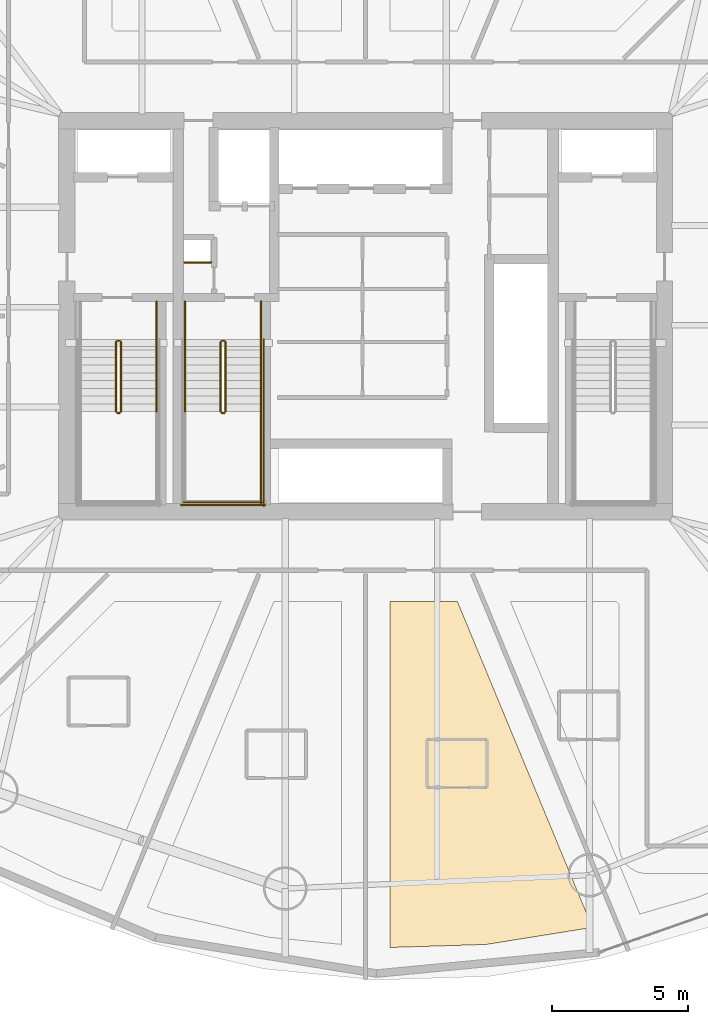
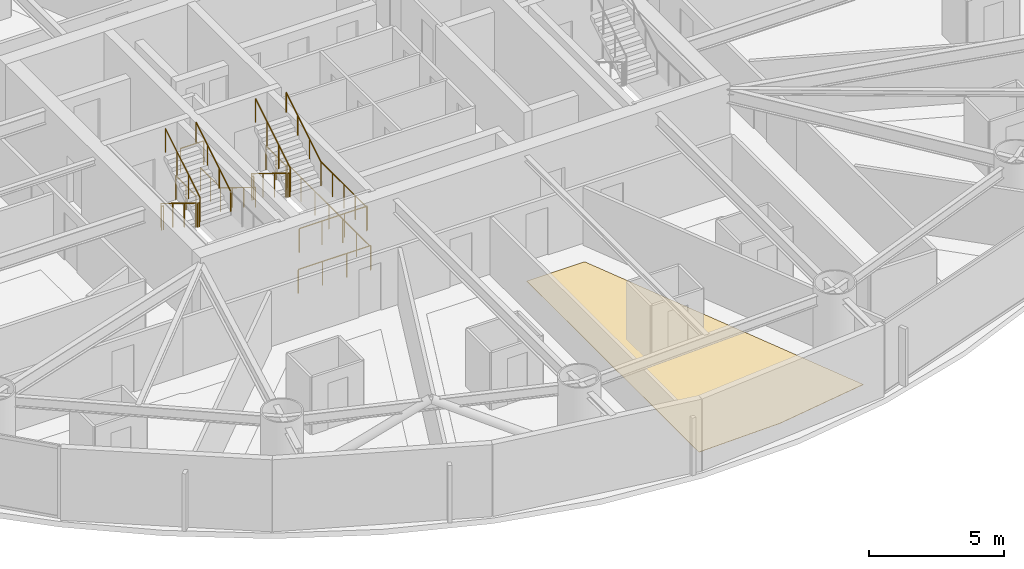
# One storey, part 24 of 27: 19 railings, 1 covering.
"""IFC4 building model written with IfcOpenShell, lengths in metres."""

from ifc_helpers import new_model, si_unit, direction, frame, origin, origin_2d, place, context, subcontext, project, spatial, polyline, circle, outline, extrude, material, layer, layer_set, type_object, element, save


model = new_model("IFC4")

# Units and contexts
model_context = context("Model", 3, precision=1e-05, world=origin(), true_north=direction((0.0, 1.0)))
body_context = subcontext(model_context, "Body", "Model", "MODEL_VIEW")
ifc_project = project(units=[si_unit("LENGTHUNIT", "METRE"), si_unit("AREAUNIT", "SQUARE_METRE"), si_unit("VOLUMEUNIT", "CUBIC_METRE"), si_unit("PLANEANGLEUNIT", "RADIAN"), si_unit("MASSUNIT", "GRAM", prefix="KILO")], contexts=[model_context])

# Site, building, storey
site_placement = place(None, origin())
site = spatial("IfcSite", under=ifc_project, at=site_placement, CompositionType="ELEMENT")
building_placement = place(site_placement, origin())
building = spatial("IfcBuilding", under=site, at=building_placement, Name="Bramvorn Convention Spire", CompositionType="ELEMENT")
storey_placement = place(building_placement, frame((0.0, 0.0, 44.89990234375)))
storey = spatial("IfcBuildingStorey", under=building, at=storey_placement, Name="L08", CompositionType="ELEMENT", Elevation=44.89990234375)

# Covering
ifc_material_1 = material(Name="Solution-Dyed Wool Broadloom Hospitality Carpet", Category="textile")
ifc_layer = layer(ifc_material_1, 0.014892578125)
ifc_layer_set = layer_set([ifc_layer], Name="Solution-Dyed Wool Broadloom Hospitality Carpet - FLR-CARPET-15")
covering_type = type_object("IfcCoveringType", Name="FLR-CARPET-15", PredefinedType="FLOORING", material=ifc_layer_set)
covering_placement = place(storey_placement, origin())
element("IfcCovering", 1, at=covering_placement, inside=storey, type_object=covering_type, Name="Hotel Suite 0813 wool broadloom carpet", PredefinedType="FLOORING", context=body_context, shape_type="SweptSolid", body=[
    extrude(outline(polyline([(42.43701171875, 2.8740234375), (46.345703125, 3.500244140625), (41.375, 15.5), (38.89990234375, 15.5), (38.89990234375, 2.762451171875), (42.43701171875, 2.8740234375)])), origin(), (0.0, 0.0, 1.0), 0.01513671875),
])

# Railings
ifc_material_2 = material(Name="Painted Steel Balustrade & Guardrail", Category="steel")
railing_type_1 = type_object("IfcRailingType", Name="RL-STAIR-GUARD-1100", PredefinedType="GUARDRAIL", material=ifc_material_2)
railing_1_placement = place(storey_placement, frame((28.81005859375, 25.050048828125, 0.175048828125)))
element("IfcRailing", 2, at=railing_1_placement, inside=storey, type_object=railing_type_1, Name="L08 ST1 stair guard 1", PredefinedType="GUARDRAIL", context=body_context, shape_type="SweptSolid", body=[
    extrude(circle(Radius=0.02392578125, at=origin_2d()), frame((0.0, 0.0, 1.076171875), z_axis=(0.0, -0.852173129349, 0.523259933127), x_axis=(1.0, 0.0, 0.0)), (0.0, 0.0, 1.0), 3.009765625),
    extrude(circle(Radius=0.02099609375, at=origin_2d()), origin(), (0.0, 0.0, 1.0), 1.052001953125),
    extrude(circle(Radius=0.02099609375, at=origin_2d()), frame((0.0, -0.85498046875, 0.52490234375)), (0.0, 0.0, 1.0), 1.052001953125),
    extrude(circle(Radius=0.02099609375, at=origin_2d()), frame((0.0, -1.7099609375, 1.050048828125)), (0.0, 0.0, 1.0), 1.052001953125),
    extrude(circle(Radius=0.02099609375, at=origin_2d()), frame((0.0, -2.56494140625, 1.574951171875)), (0.0, 0.0, 1.0), 1.052001953125),
])
railing_2_placement = place(storey_placement, frame((28.860107421875, 22.43505859375, 1.75)))
element("IfcRailing", 3, at=railing_2_placement, inside=storey, type_object=railing_type_1, Name="L08 ST1 stair guard 2", PredefinedType="GUARDRAIL", context=body_context, shape_type="SweptSolid", body=[
    extrude(circle(Radius=0.02392578125, at=origin_2d()), frame((0.0, 0.0, 1.076171875), z_axis=(1.0, 0.0, 0.0), x_axis=(0.0, 1.0, 0.0)), (0.0, 0.0, 1.0), 0.079833984375),
    extrude(circle(Radius=0.02099609375, at=origin_2d()), origin(), (0.0, 0.0, 1.0), 1.052001953125),
    extrude(circle(Radius=0.02099609375, at=origin_2d()), frame((0.079833984375, 0.0, 0.0)), (0.0, 0.0, 1.0), 1.052001953125),
])
railing_3_placement = place(storey_placement, frame((28.989990234375, 22.485107421875, 1.925048828125)))
element("IfcRailing", 4, at=railing_3_placement, inside=storey, type_object=railing_type_1, Name="L08 ST1 stair guard 6", PredefinedType="GUARDRAIL", context=body_context, shape_type="SweptSolid", body=[
    extrude(circle(Radius=0.02392578125, at=origin_2d()), frame((0.0, 0.0, 1.076171875), z_axis=(0.0, 0.852173129349, 0.523259933127), x_axis=(-1.0, 0.0, 0.0)), (0.0, 0.0, 1.0), 3.009765625),
    extrude(circle(Radius=0.02099609375, at=origin_2d()), origin(), (0.0, 0.0, 1.0), 1.052001953125),
    extrude(circle(Radius=0.02099609375, at=origin_2d()), frame((0.0, 0.85498046875, 0.52490234375)), (0.0, 0.0, 1.0), 1.052001953125),
    extrude(circle(Radius=0.02099609375, at=origin_2d()), frame((0.0, 1.7099609375, 1.050048828125)), (0.0, 0.0, 1.0), 1.052001953125),
    extrude(circle(Radius=0.02099609375, at=origin_2d()), frame((0.0, 2.56494140625, 1.574951171875)), (0.0, 0.0, 1.0), 1.052001953125),
])
railing_4_placement = place(storey_placement, frame((28.860107421875, 25.10009765625, 0.0)))
element("IfcRailing", 5, at=railing_4_placement, inside=storey, type_object=railing_type_1, Name="L08 ST1 stair guard 7", PredefinedType="GUARDRAIL", context=body_context, shape_type="SweptSolid", body=[
    extrude(circle(Radius=0.02392578125, at=origin_2d()), frame((0.0, 0.0, 1.076171875), z_axis=(1.0, 0.0, 0.0), x_axis=(0.0, 1.0, 0.0)), (0.0, 0.0, 1.0), 0.079833984375),
    extrude(circle(Radius=0.02099609375, at=origin_2d()), origin(), (0.0, 0.0, 1.0), 1.052001953125),
    extrude(circle(Radius=0.02099609375, at=origin_2d()), frame((0.079833984375, 0.0, 0.0)), (0.0, 0.0, 1.0), 1.052001953125),
])
railing_5_placement = place(storey_placement, frame((30.300048828125, 26.550048828125, 0.0)))
element("IfcRailing", 6, at=railing_5_placement, inside=storey, type_object=railing_type_1, Name="L08 ST1 stair guard 9", PredefinedType="GUARDRAIL", context=body_context, shape_type="SweptSolid", body=[
    extrude(circle(Radius=0.02392578125, at=origin_2d()), frame((0.0, 0.0, 1.076171875), z_axis=(0.0, -1.0, 0.0), x_axis=(1.0, 0.0, 0.0)), (0.0, 0.0, 1.0), 1.5),
    extrude(circle(Radius=0.02099609375, at=origin_2d()), origin(), (0.0, 0.0, 1.0), 1.052001953125),
    extrude(circle(Radius=0.02099609375, at=origin_2d()), frame((0.0, -0.75, 0.0)), (0.0, 0.0, 1.0), 1.052001953125),
    extrude(circle(Radius=0.02099609375, at=origin_2d()), frame((0.0, -1.5, 0.0)), (0.0, 0.0, 1.0), 1.052001953125),
])
railing_6_placement = place(storey_placement, frame((32.659912109375, 25.050048828125, 0.175048828125)))
element("IfcRailing", 7, at=railing_6_placement, inside=storey, type_object=railing_type_1, Name="L08 ST3 stair guard 1", PredefinedType="GUARDRAIL", context=body_context, shape_type="SweptSolid", body=[
    extrude(circle(Radius=0.02392578125, at=origin_2d()), frame((0.0, 0.0, 1.076171875), z_axis=(0.0, -0.852173129349, 0.523259933127), x_axis=(1.0, 0.0, 0.0)), (0.0, 0.0, 1.0), 3.009765625),
    extrude(circle(Radius=0.02099609375, at=origin_2d()), origin(), (0.0, 0.0, 1.0), 1.052001953125),
    extrude(circle(Radius=0.02099609375, at=origin_2d()), frame((0.0, -0.85498046875, 0.52490234375)), (0.0, 0.0, 1.0), 1.052001953125),
    extrude(circle(Radius=0.02099609375, at=origin_2d()), frame((0.0, -1.7099609375, 1.050048828125)), (0.0, 0.0, 1.0), 1.052001953125),
    extrude(circle(Radius=0.02099609375, at=origin_2d()), frame((0.0, -2.56494140625, 1.574951171875)), (0.0, 0.0, 1.0), 1.052001953125),
])
railing_7_placement = place(storey_placement, frame((32.7099609375, 22.43505859375, 1.75)))
element("IfcRailing", 8, at=railing_7_placement, inside=storey, type_object=railing_type_1, Name="L08 ST3 stair guard 2", PredefinedType="GUARDRAIL", context=body_context, shape_type="SweptSolid", body=[
    extrude(circle(Radius=0.02392578125, at=origin_2d()), frame((0.0, 0.0, 1.076171875), z_axis=(1.0, 0.0, 0.0), x_axis=(0.0, 1.0, 0.0)), (0.0, 0.0, 1.0), 0.080078125),
    extrude(circle(Radius=0.02099609375, at=origin_2d()), origin(), (0.0, 0.0, 1.0), 1.052001953125),
    extrude(circle(Radius=0.02099609375, at=origin_2d()), frame((0.080078125, 0.0, 0.0)), (0.0, 0.0, 1.0), 1.052001953125),
])
railing_8_placement = place(storey_placement, frame((34.14990234375, 22.485107421875, 1.75)))
element("IfcRailing", 9, at=railing_8_placement, inside=storey, type_object=railing_type_1, Name="L08 ST3 stair guard 4", PredefinedType="GUARDRAIL", context=body_context, shape_type="SweptSolid", body=[
    extrude(circle(Radius=0.02392578125, at=origin_2d()), frame((0.0, 0.0, 1.076171875), z_axis=(0.0, -1.0, 0.0), x_axis=(1.0, 0.0, 0.0)), (0.0, 0.0, 1.0), 3.385009765625),
    extrude(circle(Radius=0.02099609375, at=origin_2d()), origin(), (0.0, 0.0, 1.0), 1.052001953125),
    extrude(circle(Radius=0.02099609375, at=origin_2d()), frame((0.0, -0.84619140625, 0.0)), (0.0, 0.0, 1.0), 1.052001953125),
    extrude(circle(Radius=0.02099609375, at=origin_2d()), frame((0.0, -1.6923828125, 0.0)), (0.0, 0.0, 1.0), 1.052001953125),
    extrude(circle(Radius=0.02099609375, at=origin_2d()), frame((0.0, -2.538818359375, 0.0)), (0.0, 0.0, 1.0), 1.052001953125),
    extrude(circle(Radius=0.02099609375, at=origin_2d()), frame((0.0, -3.385009765625, 0.0)), (0.0, 0.0, 1.0), 1.052001953125),
])
railing_9_placement = place(storey_placement, frame((31.300048828125, 19.14990234375, 1.75)))
element("IfcRailing", 10, at=railing_9_placement, inside=storey, type_object=railing_type_1, Name="L08 ST3 stair guard 5", PredefinedType="GUARDRAIL", context=body_context, shape_type="SweptSolid", body=[
    extrude(circle(Radius=0.02392578125, at=origin_2d()), frame((0.0, 0.0, 1.076171875), z_axis=(1.0, 0.0, 0.0), x_axis=(0.0, 1.0, 0.0)), (0.0, 0.0, 1.0), 2.89990234375),
    extrude(circle(Radius=0.02099609375, at=origin_2d()), origin(), (0.0, 0.0, 1.0), 1.052001953125),
    extrude(circle(Radius=0.02099609375, at=origin_2d()), frame((0.966552734375, 0.0, 0.0)), (0.0, 0.0, 1.0), 1.052001953125),
    extrude(circle(Radius=0.02099609375, at=origin_2d()), frame((1.933349609375, 0.0, 0.0)), (0.0, 0.0, 1.0), 1.052001953125),
    extrude(circle(Radius=0.02099609375, at=origin_2d()), frame((2.89990234375, 0.0, 0.0)), (0.0, 0.0, 1.0), 1.052001953125),
])
railing_10_placement = place(storey_placement, frame((32.840087890625, 22.485107421875, 1.925048828125)))
element("IfcRailing", 11, at=railing_10_placement, inside=storey, type_object=railing_type_1, Name="L08 ST3 stair guard 6", PredefinedType="GUARDRAIL", context=body_context, shape_type="SweptSolid", body=[
    extrude(circle(Radius=0.02392578125, at=origin_2d()), frame((0.0, 0.0, 1.076171875), z_axis=(0.0, 0.852173129349, 0.523259933127), x_axis=(-1.0, 0.0, 0.0)), (0.0, 0.0, 1.0), 3.009765625),
    extrude(circle(Radius=0.02099609375, at=origin_2d()), origin(), (0.0, 0.0, 1.0), 1.052001953125),
    extrude(circle(Radius=0.02099609375, at=origin_2d()), frame((0.0, 0.85498046875, 0.52490234375)), (0.0, 0.0, 1.0), 1.052001953125),
    extrude(circle(Radius=0.02099609375, at=origin_2d()), frame((0.0, 1.7099609375, 1.050048828125)), (0.0, 0.0, 1.0), 1.052001953125),
    extrude(circle(Radius=0.02099609375, at=origin_2d()), frame((0.0, 2.56494140625, 1.574951171875)), (0.0, 0.0, 1.0), 1.052001953125),
])
railing_11_placement = place(storey_placement, frame((32.7099609375, 25.10009765625, 0.0)))
element("IfcRailing", 12, at=railing_11_placement, inside=storey, type_object=railing_type_1, Name="L08 ST3 stair guard 7", PredefinedType="GUARDRAIL", context=body_context, shape_type="SweptSolid", body=[
    extrude(circle(Radius=0.02392578125, at=origin_2d()), frame((0.0, 0.0, 1.076171875), z_axis=(1.0, 0.0, 0.0), x_axis=(0.0, 1.0, 0.0)), (0.0, 0.0, 1.0), 0.080078125),
    extrude(circle(Radius=0.02099609375, at=origin_2d()), origin(), (0.0, 0.0, 1.0), 1.052001953125),
    extrude(circle(Radius=0.02099609375, at=origin_2d()), frame((0.080078125, 0.0, 0.0)), (0.0, 0.0, 1.0), 1.052001953125),
])
for number, where, name in (
    (13, (31.35009765625, 26.550048828125, 0.0), "L08 ST3 stair guard 8"),
    (14, (34.14990234375, 26.550048828125, 0.0), "L08 ST3 stair guard 9"),
):
    element("IfcRailing", number, at=place(storey_placement, frame(where)), inside=storey, type_object=railing_type_1, Name=name, PredefinedType="GUARDRAIL", context=body_context, shape_type="SweptSolid", body=[
        extrude(circle(Radius=0.02392578125, at=origin_2d()), frame((0.0, 0.0, 1.076171875), z_axis=(0.0, -1.0, 0.0), x_axis=(1.0, 0.0, 0.0)), (0.0, 0.0, 1.0), 1.5),
        extrude(circle(Radius=0.02099609375, at=origin_2d()), origin(), (0.0, 0.0, 1.0), 1.052001953125),
        extrude(circle(Radius=0.02099609375, at=origin_2d()), frame((0.0, -0.75, 0.0)), (0.0, 0.0, 1.0), 1.052001953125),
        extrude(circle(Radius=0.02099609375, at=origin_2d()), frame((0.0, -1.5, 0.0)), (0.0, 0.0, 1.0), 1.052001953125),
    ])
railing_12_placement = place(storey_placement, frame((34.25, 25.14990234375, 0.0)))
element("IfcRailing", 15, at=railing_12_placement, inside=storey, type_object=railing_type_1, Name="L08 ST3 stair guard 11", PredefinedType="GUARDRAIL", context=body_context, shape_type="SweptSolid", body=[
    extrude(circle(Radius=0.02392578125, at=origin_2d()), frame((0.0, 0.0, 1.076171875), z_axis=(0.0, -1.0, 0.0), x_axis=(1.0, 0.0, 0.0)), (0.0, 0.0, 1.0), 6.14990234375),
    extrude(circle(Radius=0.02099609375, at=origin_2d()), origin(), (0.0, 0.0, 1.0), 1.052001953125),
    extrude(circle(Radius=0.02099609375, at=origin_2d()), frame((0.0, -1.02490234375, 0.0)), (0.0, 0.0, 1.0), 1.052001953125),
    extrude(circle(Radius=0.02099609375, at=origin_2d()), frame((0.0, -2.050048828125, 0.0)), (0.0, 0.0, 1.0), 1.052001953125),
    extrude(circle(Radius=0.02099609375, at=origin_2d()), frame((0.0, -3.074951171875, 0.0)), (0.0, 0.0, 1.0), 1.052001953125),
    extrude(circle(Radius=0.02099609375, at=origin_2d()), frame((0.0, -4.099853515625, 0.0)), (0.0, 0.0, 1.0), 1.052001953125),
    extrude(circle(Radius=0.02099609375, at=origin_2d()), frame((0.0, -5.125, 0.0)), (0.0, 0.0, 1.0), 1.052001953125),
    extrude(circle(Radius=0.02099609375, at=origin_2d()), frame((0.0, -6.14990234375, 0.0)), (0.0, 0.0, 1.0), 1.052001953125),
])
railing_13_placement = place(storey_placement, frame((31.199951171875, 19.050048828125, 0.0)))
element("IfcRailing", 16, at=railing_13_placement, inside=storey, type_object=railing_type_1, Name="L08 ST3 stair guard 12", PredefinedType="GUARDRAIL", context=body_context, shape_type="SweptSolid", body=[
    extrude(circle(Radius=0.02392578125, at=origin_2d()), frame((0.0, 0.0, 1.076171875), z_axis=(1.0, 0.0, 0.0), x_axis=(0.0, 1.0, 0.0)), (0.0, 0.0, 1.0), 3.10009765625),
    extrude(circle(Radius=0.02099609375, at=origin_2d()), origin(), (0.0, 0.0, 1.0), 1.052001953125),
    extrude(circle(Radius=0.02099609375, at=origin_2d()), frame((1.033447265625, 0.0, 0.0)), (0.0, 0.0, 1.0), 1.052001953125),
    extrude(circle(Radius=0.02099609375, at=origin_2d()), frame((2.066650390625, 0.0, 0.0)), (0.0, 0.0, 1.0), 1.052001953125),
    extrude(circle(Radius=0.02099609375, at=origin_2d()), frame((3.10009765625, 0.0, 0.0)), (0.0, 0.0, 1.0), 1.052001953125),
])
railing_14_placement = place(storey_placement, frame((31.320068359375, 27.97998046875, 0.0)))
element("IfcRailing", 17, at=railing_14_placement, inside=storey, type_object=railing_type_1, Name="L08 Telecom riser shaft opening safety guardrail", PredefinedType="GUARDRAIL", context=body_context, shape_type="SweptSolid", body=[
    extrude(circle(Radius=0.02392578125, at=origin_2d()), frame((0.0, 0.0, 1.076171875), z_axis=(1.0, 0.0, 0.0), x_axis=(0.0, 1.0, 0.0)), (0.0, 0.0, 1.0), 1.0),
    extrude(circle(Radius=0.02099609375, at=origin_2d()), origin(), (0.0, 0.0, 1.0), 1.052001953125),
    extrude(circle(Radius=0.02099609375, at=origin_2d()), frame((1.0, 0.0, 0.0)), (0.0, 0.0, 1.0), 1.052001953125),
])
ifc_material_3 = material(Name="Brushed Bronze Tubular Handrail", Category="aluminium")
railing_type_2 = type_object("IfcRailingType", Name="RL-STAIR-HR-920", PredefinedType="HANDRAIL", material=ifc_material_3)
railing_15_placement = place(storey_placement, frame((30.300048828125, 22.485107421875, 1.925048828125)))
element("IfcRailing", 18, at=railing_15_placement, inside=storey, type_object=railing_type_2, Name="L08 ST1 stair handrail 2", PredefinedType="HANDRAIL", context=body_context, shape_type="SweptSolid", body=[
    extrude(circle(Radius=0.02392578125, at=origin_2d()), frame((0.0, 0.0, 0.89599609375), z_axis=(0.0, 0.852173129349, 0.523259933127), x_axis=(-1.0, 0.0, 0.0)), (0.0, 0.0, 1.0), 3.009765625),
    extrude(circle(Radius=0.02099609375, at=origin_2d()), origin(), (0.0, 0.0, 1.0), 0.871826171875),
    extrude(circle(Radius=0.02099609375, at=origin_2d()), frame((0.0, 0.85498046875, 0.52490234375)), (0.0, 0.0, 1.0), 0.871826171875),
    extrude(circle(Radius=0.02099609375, at=origin_2d()), frame((0.0, 1.7099609375, 1.050048828125)), (0.0, 0.0, 1.0), 0.871826171875),
    extrude(circle(Radius=0.02099609375, at=origin_2d()), frame((0.0, 2.56494140625, 1.574951171875)), (0.0, 0.0, 1.0), 0.871826171875),
])
railing_16_placement = place(storey_placement, frame((31.35009765625, 25.050048828125, 0.175048828125)))
element("IfcRailing", 19, at=railing_16_placement, inside=storey, type_object=railing_type_2, Name="L08 ST3 stair handrail 1", PredefinedType="HANDRAIL", context=body_context, shape_type="SweptSolid", body=[
    extrude(circle(Radius=0.02392578125, at=origin_2d()), frame((0.0, 0.0, 0.89599609375), z_axis=(0.0, -0.852173129349, 0.523259933127), x_axis=(1.0, 0.0, 0.0)), (0.0, 0.0, 1.0), 3.009765625),
    extrude(circle(Radius=0.02099609375, at=origin_2d()), origin(), (0.0, 0.0, 1.0), 0.871826171875),
    extrude(circle(Radius=0.02099609375, at=origin_2d()), frame((0.0, -0.85498046875, 0.52490234375)), (0.0, 0.0, 1.0), 0.871826171875),
    extrude(circle(Radius=0.02099609375, at=origin_2d()), frame((0.0, -1.7099609375, 1.050048828125)), (0.0, 0.0, 1.0), 0.871826171875),
    extrude(circle(Radius=0.02099609375, at=origin_2d()), frame((0.0, -2.56494140625, 1.574951171875)), (0.0, 0.0, 1.0), 0.871826171875),
])
railing_17_placement = place(storey_placement, frame((34.14990234375, 22.485107421875, 1.925048828125)))
element("IfcRailing", 20, at=railing_17_placement, inside=storey, type_object=railing_type_2, Name="L08 ST3 stair handrail 2", PredefinedType="HANDRAIL", context=body_context, shape_type="SweptSolid", body=[
    extrude(circle(Radius=0.02392578125, at=origin_2d()), frame((0.0, 0.0, 0.89599609375), z_axis=(0.0, 0.852173129349, 0.523259933127), x_axis=(-1.0, 0.0, 0.0)), (0.0, 0.0, 1.0), 3.009765625),
    extrude(circle(Radius=0.02099609375, at=origin_2d()), origin(), (0.0, 0.0, 1.0), 0.871826171875),
    extrude(circle(Radius=0.02099609375, at=origin_2d()), frame((0.0, 0.85498046875, 0.52490234375)), (0.0, 0.0, 1.0), 0.871826171875),
    extrude(circle(Radius=0.02099609375, at=origin_2d()), frame((0.0, 1.7099609375, 1.050048828125)), (0.0, 0.0, 1.0), 0.871826171875),
    extrude(circle(Radius=0.02099609375, at=origin_2d()), frame((0.0, 2.56494140625, 1.574951171875)), (0.0, 0.0, 1.0), 0.871826171875),
])

save(model, "model.ifc")
